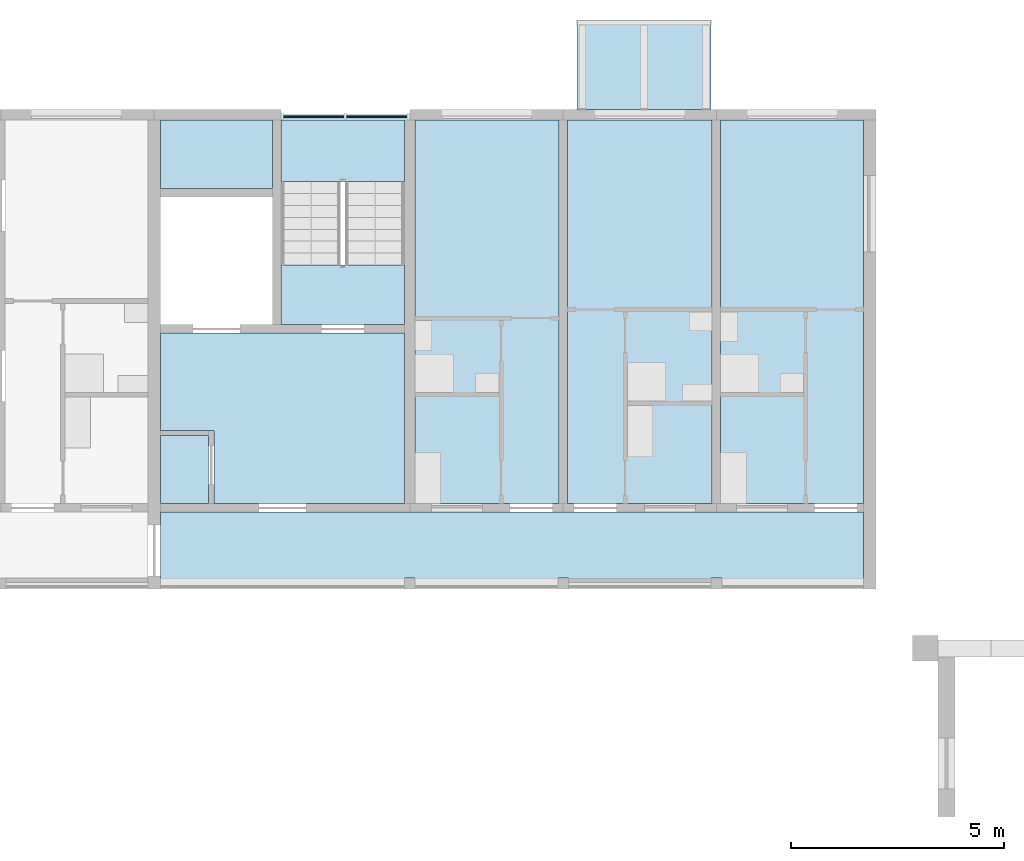
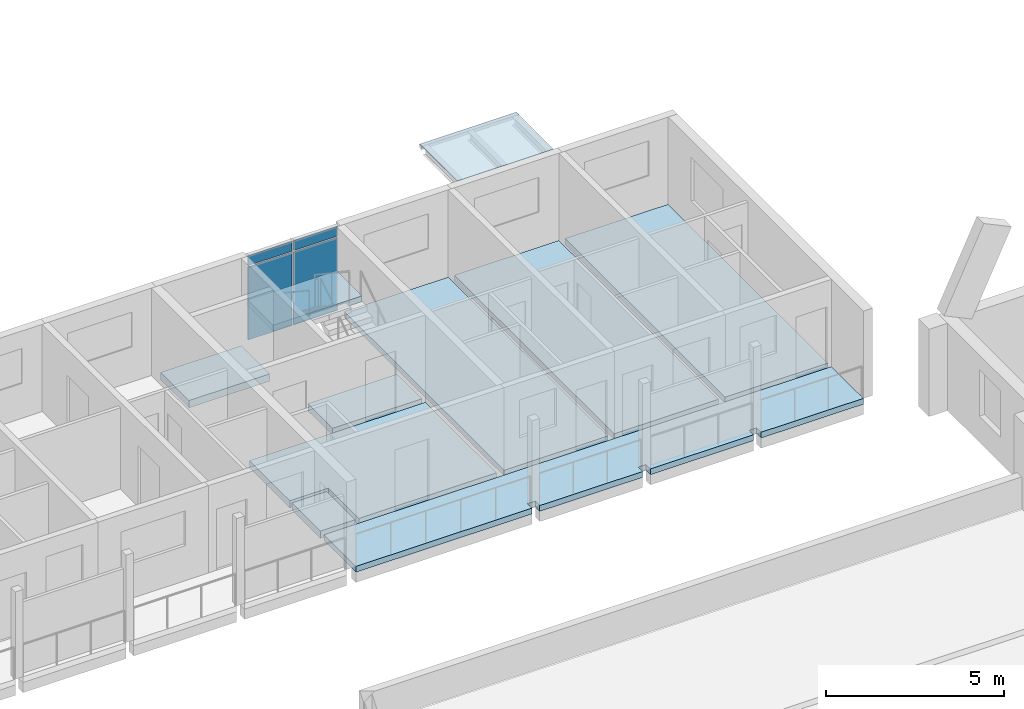
# One storey, part 34 of 115: 10 slabs, 4 plates, 2 elements without a shape of their own.
"""IFC4 building model written with IfcOpenShell, lengths in metres."""

from ifc_helpers import new_model, si_unit, direction, frame, origin, origin_2d, place, context, subcontext, project, spatial, polyline, rectangle, outline, extrude, material, layer, layer_set, type_object, element, aggregate, save


model = new_model("IFC4")

# Units and contexts
model_context = context("Model", 3, precision=1e-05, world=origin(), true_north=direction((0.0, 1.0)))
body_context = subcontext(model_context, "Body", "Model", "MODEL_VIEW")
ifc_project = project(units=[si_unit("LENGTHUNIT", "METRE"), si_unit("AREAUNIT", "SQUARE_METRE"), si_unit("VOLUMEUNIT", "CUBIC_METRE"), si_unit("PLANEANGLEUNIT", "RADIAN"), si_unit("MASSUNIT", "GRAM", prefix="KILO")], contexts=[model_context])

# Site, building, storey
site_placement = place(None, origin())
site = spatial("IfcSite", under=ifc_project, at=site_placement, CompositionType="ELEMENT")
building_placement = place(site_placement, origin())
building = spatial("IfcBuilding", under=site, at=building_placement, Name="Ridgestep Commons", CompositionType="ELEMENT")
storey_placement = place(building_placement, frame((0.0, 0.0, 6.0)))
storey = spatial("IfcBuildingStorey", under=building, at=storey_placement, Name="L02", CompositionType="ELEMENT", Elevation=6.0)

# Slab
ifc_material_1 = material(Name="Precast concrete C40/50", Category="concrete")
ifc_layer_1 = layer(ifc_material_1, 0.199951171875)
ifc_layer_set_1 = layer_set([ifc_layer_1], Name="Gallery slab 200")
slab_type_1 = type_object("IfcSlabType", Name="Gallery slab 200", PredefinedType="FLOOR", material=ifc_layer_set_1)
slab_1_placement = place(storey_placement, frame((0.0, 0.0, -0.199951171875)))
element("IfcSlab", 1, at=slab_1_placement, inside=storey, type_object=slab_type_1, Name="Gallery slab B6 L02", PredefinedType="FLOOR", context=body_context, shape_type="SweptSolid", body=[
    extrude(outline(polyline([(112.64990234375, 67.800048828125), (96.14990234375, 67.800048828125), (96.14990234375, 66.0), (101.875, 66.0), (101.875, 66.25), (102.125, 66.25), (102.125, 66.0), (105.47509765625, 66.0), (105.47509765625, 66.25), (105.72509765625, 66.25), (105.72509765625, 66.0), (109.074951171875, 66.0), (109.074951171875, 66.25), (109.324951171875, 66.25), (109.324951171875, 66.0), (112.64990234375, 66.0), (112.64990234375, 67.800048828125)])), origin(), (0.0, 0.0, 1.0), 0.199951171875),
])

# Curtain wall, plates
ifc_material_2 = material(Name="Aluminium 6063-T6 and glass", Category="aluminium")
curtain_wall_type = type_object("IfcCurtainWallType", Name="Curtain wall stair strip", PredefinedType="NOTDEFINED", material=ifc_material_2)
curtain_wall_placement = place(storey_placement, origin())
curtain_wall = element("IfcCurtainWall", 2, at=curtain_wall_placement, inside=storey, type_object=curtain_wall_type, Name="Curtain wall B6C level 02", PredefinedType="NOTDEFINED")
ifc_material_3 = material(Name="Glass laminated 6/16/6 low-emissivity", Category="glass")
ifc_layer_2 = layer(ifc_material_3, 0.028076171875)
ifc_layer_set_2 = layer_set([ifc_layer_2], Name="Glazing panel 28")
plate_type_1 = type_object("IfcPlateType", Name="Glazing panel 28", PredefinedType="CURTAIN_PANEL", material=ifc_layer_set_2)
plate_1_placement = place(storey_placement, frame((99.746337890625, 77.080078125, 0.06005859375), z_axis=(0.0, 0.0, 1.0), x_axis=(1.0, 0.0, 0.0)))
plate_1 = element("IfcPlate", 3, at=plate_1_placement, type_object=plate_type_1, Name="CW1 panel 1.1", PredefinedType="CURTAIN_PANEL", context=body_context, shape_type="SweptSolid", body=[
    extrude(rectangle(XDim=1.422607421875, YDim=0.028076171875, at=origin_2d()), origin(), (0.0, 0.0, 1.0), 2.5),
])
plate_2_placement = place(storey_placement, frame((101.228759765625, 77.080078125, 0.06005859375), z_axis=(0.0, 0.0, 1.0), x_axis=(1.0, 0.0, 0.0)))
plate_2 = element("IfcPlate", 4, at=plate_2_placement, type_object=plate_type_1, Name="CW1 panel 2.1", PredefinedType="CURTAIN_PANEL", context=body_context, shape_type="SweptSolid", body=[
    extrude(rectangle(XDim=1.422607421875, YDim=0.028076171875, at=origin_2d()), origin(), (0.0, 0.0, 1.0), 2.5),
])

# Slabs
ifc_material_4 = material(Name="Precast concrete C50/60", Category="concrete")
ifc_layer_3 = layer(ifc_material_4, 0.199951171875)
ifc_layer_set_3 = layer_set([ifc_layer_3], Name="Hollow-core plank 200")
slab_type_2 = type_object("IfcSlabType", Name="Hollow-core plank 200", PredefinedType="FLOOR", material=ifc_layer_set_3)
slab_2_placement = place(storey_placement, frame((0.0, 0.0, -0.199951171875)))
element("IfcSlab", 5, at=slab_2_placement, inside=storey, type_object=slab_type_2, Name="Floor plank B6T3 L02", PredefinedType="FLOOR", context=body_context, shape_type="SweptSolid", body=[
    extrude(outline(polyline([(105.5, 68.0), (105.5, 77.0), (102.125, 77.0), (102.125, 68.0), (105.5, 68.0)])), origin(), (0.0, 0.0, 1.0), 0.199951171875),
])
slab_3_placement = place(storey_placement, frame((0.0, 0.0, -0.199951171875)))
element("IfcSlab", 6, at=slab_3_placement, inside=storey, type_object=slab_type_2, Name="Floor plank B6T2 L02", PredefinedType="FLOOR", context=body_context, shape_type="SweptSolid", body=[
    extrude(outline(polyline([(109.10009765625, 68.0), (109.10009765625, 77.0), (105.699951171875, 77.0), (105.699951171875, 68.0), (109.10009765625, 68.0)])), origin(), (0.0, 0.0, 1.0), 0.199951171875),
])
slab_4_placement = place(storey_placement, frame((0.0, 0.0, -0.199951171875)))
element("IfcSlab", 7, at=slab_4_placement, inside=storey, type_object=slab_type_2, Name="Floor plank B6T1 L02", PredefinedType="FLOOR", context=body_context, shape_type="SweptSolid", body=[
    extrude(outline(polyline([(112.64990234375, 68.0), (112.64990234375, 77.0), (109.300048828125, 77.0), (109.300048828125, 68.0), (112.64990234375, 68.0)])), origin(), (0.0, 0.0, 1.0), 0.199951171875),
])
ifc_material_5 = material(Name="Precast concrete C50/60", Category="concrete")
ifc_layer_4 = layer(ifc_material_5, 0.25)
ifc_layer_set_4 = layer_set([ifc_layer_4], Name="Hollow-core plank 250")
slab_type_3 = type_object("IfcSlabType", Name="Hollow-core plank 250", PredefinedType="FLOOR", material=ifc_layer_set_4)
slab_5_placement = place(storey_placement, frame((0.0, 0.0, -0.25)))
element("IfcSlab", 8, at=slab_5_placement, inside=storey, type_object=slab_type_3, Name="Floor plank B6C L02", PredefinedType="FLOOR", context=body_context, shape_type="SweptSolid", body=[
    extrude(outline(polyline([(97.39990234375, 68.0), (101.875, 68.0), (101.875, 72.0), (96.14990234375, 72.0), (96.14990234375, 69.719970703125), (97.280029296875, 69.719970703125), (97.39990234375, 69.719970703125), (97.39990234375, 68.0)])), origin(), (0.0, 0.0, 1.0), 0.25),
])
slab_6_placement = place(storey_placement, frame((0.0, 0.0, -0.25)))
element("IfcSlab", 9, at=slab_6_placement, inside=storey, type_object=slab_type_3, Name="Floor plank B6C L02", PredefinedType="FLOOR", context=body_context, shape_type="SweptSolid", body=[
    extrude(outline(polyline([(98.77490234375, 77.0), (96.14990234375, 77.0), (96.14990234375, 75.39990234375), (98.77490234375, 75.39990234375), (98.77490234375, 77.0)])), origin(), (0.0, 0.0, 1.0), 0.25),
])
slab_7_placement = place(storey_placement, frame((0.0, 0.0, -0.25)))
element("IfcSlab", 10, at=slab_7_placement, inside=storey, type_object=slab_type_3, Name="Floor plank B6C L02", PredefinedType="FLOOR", context=body_context, shape_type="SweptSolid", body=[
    extrude(outline(polyline([(101.875, 72.199951171875), (101.875, 73.60009765625), (98.97509765625, 73.60009765625), (98.97509765625, 72.199951171875), (101.875, 72.199951171875)])), origin(), (0.0, 0.0, 1.0), 0.25),
])
slab_8_placement = place(storey_placement, frame((0.0, 0.0, -0.25)))
element("IfcSlab", 11, at=slab_8_placement, inside=storey, type_object=slab_type_3, Name="Floor plank B6C L02", PredefinedType="FLOOR", context=body_context, shape_type="SweptSolid", body=[
    extrude(outline(polyline([(97.280029296875, 69.60009765625), (96.14990234375, 69.60009765625), (96.14990234375, 68.0), (97.280029296875, 68.0), (97.280029296875, 69.60009765625)])), origin(), (0.0, 0.0, 1.0), 0.25),
])

# Plate
ifc_material_6 = material(Name="Aluminium 6063-T6 and mineral wool", Category="aluminium")
ifc_layer_5 = layer(ifc_material_6, 0.0400390625)
ifc_layer_set_5 = layer_set([ifc_layer_5], Name="Spandrel panel 40")
plate_type_2 = type_object("IfcPlateType", Name="Spandrel panel 40", PredefinedType="CURTAIN_PANEL", material=ifc_layer_set_5)
plate_3_placement = place(storey_placement, frame((99.746337890625, 77.080078125, 2.6201171875), z_axis=(0.0, 0.0, 1.0), x_axis=(1.0, 0.0, 0.0)))
plate_3 = element("IfcPlate", 12, at=plate_3_placement, type_object=plate_type_2, Name="CW1 panel 1.2", PredefinedType="CURTAIN_PANEL", context=body_context, shape_type="SweptSolid", body=[
    extrude(rectangle(XDim=1.422607421875, YDim=0.0400390625, at=origin_2d()), origin(), (0.0, 0.0, 1.0), 0.320068359375),
])

plate_4_placement = place(storey_placement, frame((101.228759765625, 77.080078125, 2.6201171875), z_axis=(0.0, 0.0, 1.0), x_axis=(1.0, 0.0, 0.0)))
plate_4 = element("IfcPlate", 13, at=plate_4_placement, type_object=plate_type_2, Name="CW1 panel 2.2", PredefinedType="CURTAIN_PANEL", context=body_context, shape_type="SweptSolid", body=[
    extrude(rectangle(XDim=1.422607421875, YDim=0.0400390625, at=origin_2d()), origin(), (0.0, 0.0, 1.0), 0.320068359375),
])

aggregate(curtain_wall, [plate_1, plate_3, plate_2, plate_4])

# Stair, slab
ifc_material_7 = material(Name="Precast concrete C40/50", Category="concrete")
stair_type = type_object("IfcStairType", Name="Escape stair 1400", PredefinedType="HALF_TURN_STAIR", material=ifc_material_7)
stair_placement = place(storey_placement, origin())
stair = element("IfcStair", 14, at=stair_placement, inside=storey, type_object=stair_type, Name="L02 Escape stair B6C", PredefinedType="HALF_TURN_STAIR")
ifc_material_8 = material(Name="Precast concrete C40/50", Category="concrete")
ifc_layer_6 = layer(ifc_material_8, 0.199951171875)
ifc_layer_set_6 = layer_set([ifc_layer_6], Name="Stair landing 200")
slab_type_4 = type_object("IfcSlabType", Name="Stair landing 200", PredefinedType="LANDING", material=ifc_layer_set_6)
slab_9_placement = place(storey_placement, frame((0.0, 0.0, 1.300048828125)))
slab_9 = element("IfcSlab", 15, at=slab_9_placement, type_object=slab_type_4, Name="B6C landing 1", PredefinedType="LANDING", context=body_context, shape_type="SweptSolid", body=[
    extrude(outline(polyline([(101.875, 75.56005859375), (101.875, 77.0), (98.97509765625, 77.0), (98.97509765625, 75.56005859375), (101.875, 75.56005859375)])), origin(), (0.0, 0.0, 1.0), 0.199951171875),
])
aggregate(stair, [slab_9])

# Slab
ifc_material_9 = material(Name="Weathering steel S355J2W", Category="steel")
ifc_layer_7 = layer(ifc_material_9, 0.010009765625)
ifc_layer_set_7 = layer_set([ifc_layer_7], Name="Tray 3.2 x 2.1")
slab_type_5 = type_object("IfcSlabType", Name="Tray 3.2 x 2.1", PredefinedType="FLOOR", material=ifc_layer_set_7)
slab_10_placement = place(storey_placement, frame((0.0, 0.0, 2.989990234375)))
element("IfcSlab", 16, at=slab_10_placement, inside=storey, type_object=slab_type_5, Name="Tray deck B6T2-03", PredefinedType="FLOOR", context=body_context, shape_type="SweptSolid", body=[
    extrude(outline(polyline([(105.929931640625, 77.25), (109.070068359375, 77.25), (109.070068359375, 79.35009765625), (105.929931640625, 79.35009765625), (105.929931640625, 77.25)])), origin(), (0.0, 0.0, 1.0), 0.010009765625),
])

save(model, "model.ifc")
